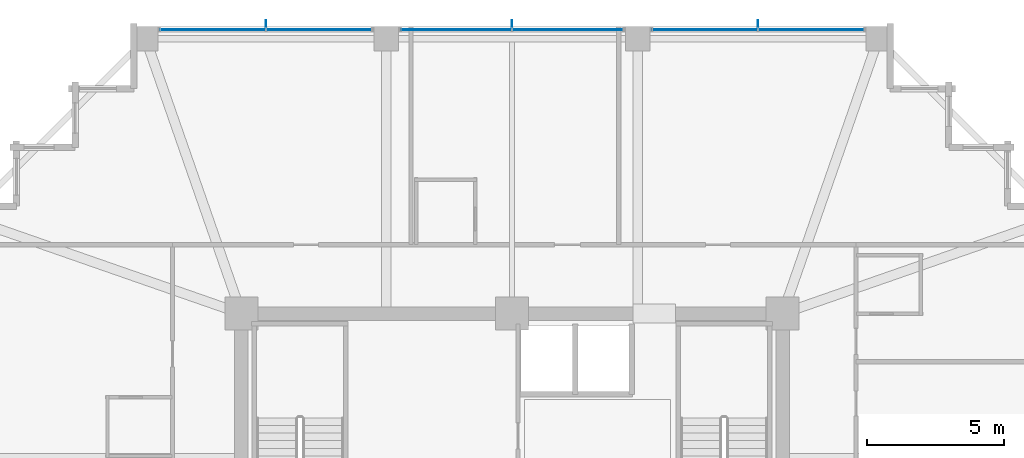
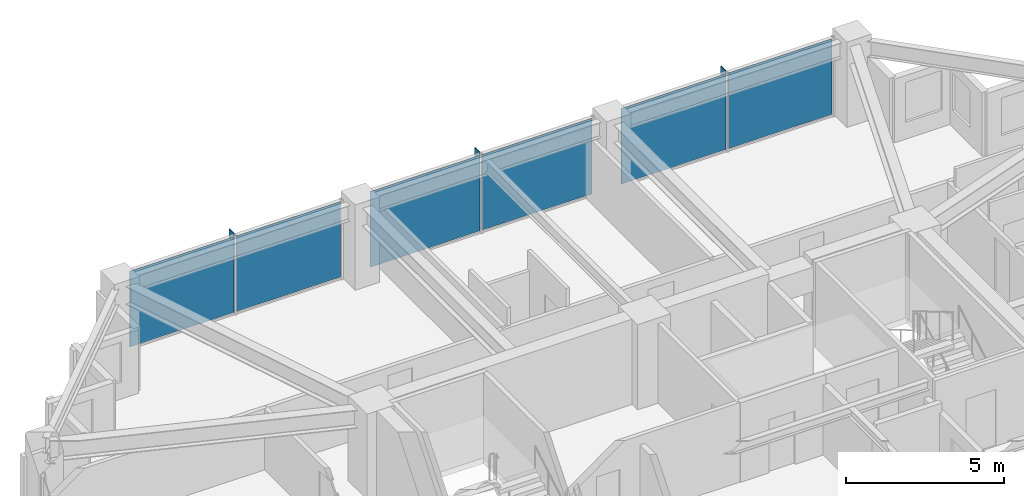
# One storey, part 27 of 34: 9 plates, 3 elements without a shape of their own.
"""IFC4 building model written with IfcOpenShell, lengths in metres."""

from ifc_helpers import new_model, si_unit, direction, frame, origin, origin_2d, place, context, subcontext, project, spatial, rectangle, extrude, material, layer, layer_set, type_object, element, aggregate, save


model = new_model("IFC4")

# Units and contexts
model_context = context("Model", 3, precision=1e-05, world=origin(), true_north=direction((0.0, 1.0)))
body_context = subcontext(model_context, "Body", "Model", "MODEL_VIEW")
ifc_project = project(units=[si_unit("LENGTHUNIT", "METRE"), si_unit("AREAUNIT", "SQUARE_METRE"), si_unit("VOLUMEUNIT", "CUBIC_METRE"), si_unit("PLANEANGLEUNIT", "RADIAN"), si_unit("MASSUNIT", "GRAM", prefix="KILO")], contexts=[model_context])

# Site, building, storey
site_placement = place(None, origin())
site = spatial("IfcSite", under=ifc_project, at=site_placement, CompositionType="ELEMENT")
building_placement = place(site_placement, origin())
building = spatial("IfcBuilding", under=site, at=building_placement, Name="Kolvaren Belvedere", CompositionType="ELEMENT")
storey_placement = place(building_placement, frame((0.0, 0.0, 189.89990234375)))
storey = spatial("IfcBuildingStorey", under=building, at=storey_placement, Name="L55", CompositionType="ELEMENT", Elevation=189.89990234375)

# Curtain wall, plates
ifc_material_1 = material(Name="Anodised pale-metal aluminium AA 6063-T6", Category="aluminium")
curtain_wall_type = type_object("IfcCurtainWallType", Name="CW-Z5-HIGH", PredefinedType="NOTDEFINED", material=ifc_material_1)
curtain_wall_1_placement = place(storey_placement, origin())
curtain_wall_1 = element("IfcCurtainWall", 1, at=curtain_wall_1_placement, inside=storey, type_object=curtain_wall_type, Name="L55 Unitised Curtain Wall FCW-L55-N-B1", PredefinedType="NOTDEFINED")
ifc_material_2 = material(Name="Low-iron triple insulated glass", Category="glass")
ifc_layer_1 = layer(ifc_material_2, 0.028076171875)
ifc_layer_set_1 = layer_set([ifc_layer_1], Name="Low-iron triple insulated glass")
plate_type_1 = type_object("IfcPlateType", Name="CW-PNL-VIS28", PredefinedType="CURTAIN_PANEL", material=ifc_layer_set_1)
plate_1_placement = place(storey_placement, frame((-10.947509765625, 20.280029296875, 0.080078125), z_axis=(0.0, 0.0, 1.0), x_axis=(1.0, 0.0, 0.0)))
plate_1 = element("IfcPlate", 2, at=plate_1_placement, type_object=plate_type_1, Name="FCW-L55-N-B1 Vision Glazing Panel 1", PredefinedType="CURTAIN_PANEL", context=body_context, shape_type="SweptSolid", body=[
    extrude(rectangle(XDim=3.81494140625, YDim=0.028076171875, at=origin_2d()), origin(), (0.0, 0.0, 1.0), 2.919921875),
])
plate_2_placement = place(storey_placement, frame((-7.052490234375, 20.280029296875, 0.080078125), z_axis=(0.0, 0.0, 1.0), x_axis=(1.0, 0.0, 0.0)))
plate_2 = element("IfcPlate", 3, at=plate_2_placement, type_object=plate_type_1, Name="FCW-L55-N-B1 Vision Glazing Panel 2", PredefinedType="CURTAIN_PANEL", context=body_context, shape_type="SweptSolid", body=[
    extrude(rectangle(XDim=3.81494140625, YDim=0.028076171875, at=origin_2d()), origin(), (0.0, 0.0, 1.0), 2.919921875),
])
aggregate(curtain_wall_1, [plate_1, plate_2])

curtain_wall_2_placement = place(storey_placement, origin())
curtain_wall_2 = element("IfcCurtainWall", 4, at=curtain_wall_2_placement, inside=storey, type_object=curtain_wall_type, Name="L55 Unitised Curtain Wall FCW-L55-N-B2", PredefinedType="NOTDEFINED")
plate_3_placement = place(storey_placement, frame((-2.047607421875, 20.280029296875, 0.080078125), z_axis=(0.0, 0.0, 1.0), x_axis=(1.0, 0.0, 0.0)))
plate_3 = element("IfcPlate", 5, at=plate_3_placement, type_object=plate_type_1, Name="FCW-L55-N-B2 Vision Glazing Panel 1", PredefinedType="CURTAIN_PANEL", context=body_context, shape_type="SweptSolid", body=[
    extrude(rectangle(XDim=4.014892578125, YDim=0.028076171875, at=origin_2d()), origin(), (0.0, 0.0, 1.0), 2.919921875),
])
plate_4_placement = place(storey_placement, frame((2.047607421875, 20.280029296875, 0.080078125), z_axis=(0.0, 0.0, 1.0), x_axis=(1.0, 0.0, 0.0)))
plate_4 = element("IfcPlate", 6, at=plate_4_placement, type_object=plate_type_1, Name="FCW-L55-N-B2 Vision Glazing Panel 2", PredefinedType="CURTAIN_PANEL", context=body_context, shape_type="SweptSolid", body=[
    extrude(rectangle(XDim=4.014892578125, YDim=0.028076171875, at=origin_2d()), origin(), (0.0, 0.0, 1.0), 2.919921875),
])
aggregate(curtain_wall_2, [plate_3, plate_4])

curtain_wall_3_placement = place(storey_placement, origin())
curtain_wall_3 = element("IfcCurtainWall", 7, at=curtain_wall_3_placement, inside=storey, type_object=curtain_wall_type, Name="L55 Unitised Curtain Wall FCW-L55-N-B3", PredefinedType="NOTDEFINED")
plate_5_placement = place(storey_placement, frame((7.052490234375, 20.280029296875, 0.080078125), z_axis=(0.0, 0.0, 1.0), x_axis=(1.0, 0.0, 0.0)))
plate_5 = element("IfcPlate", 8, at=plate_5_placement, type_object=plate_type_1, Name="FCW-L55-N-B3 Vision Glazing Panel 1", PredefinedType="CURTAIN_PANEL", context=body_context, shape_type="SweptSolid", body=[
    extrude(rectangle(XDim=3.81494140625, YDim=0.028076171875, at=origin_2d()), origin(), (0.0, 0.0, 1.0), 2.919921875),
])
plate_6_placement = place(storey_placement, frame((10.947509765625, 20.280029296875, 0.080078125), z_axis=(0.0, 0.0, 1.0), x_axis=(1.0, 0.0, 0.0)))
plate_6 = element("IfcPlate", 9, at=plate_6_placement, type_object=plate_type_1, Name="FCW-L55-N-B3 Vision Glazing Panel 2", PredefinedType="CURTAIN_PANEL", context=body_context, shape_type="SweptSolid", body=[
    extrude(rectangle(XDim=3.81494140625, YDim=0.028076171875, at=origin_2d()), origin(), (0.0, 0.0, 1.0), 2.919921875),
])
aggregate(curtain_wall_3, [plate_5, plate_6])

# Plates
ifc_material_3 = material(Name="Anodised pale-metal aluminium AA 6063-T6", Category="aluminium")
ifc_layer_2 = layer(ifc_material_3, 0.030029296875)
ifc_layer_set_2 = layer_set([ifc_layer_2], Name="Anodised pale-metal aluminium AA 6063-T6")
plate_type_2 = type_object("IfcPlateType", Name="FIN-VERT-300", PredefinedType="USERDEFINED", material=ifc_layer_set_2)
for number, where, z_axis, x_axis, name in (
    (10, (-9.0, 20.489990234375, 0.0), (0.0, 0.0, 1.0), (0.0, 1.0, 0.0), "L55 Pale-Metal Vertical Shading Fin FCW-L55-N-B1-1"),
    (11, (0.0, 20.489990234375, 0.0), (0.0, 0.0, 1.0), (0.0, 1.0, 0.0), "L55 Pale-Metal Vertical Shading Fin FCW-L55-N-B2-1"),
    (12, (9.0, 20.489990234375, 0.0), (0.0, 0.0, 1.0), (0.0, 1.0, 0.0), "L55 Pale-Metal Vertical Shading Fin FCW-L55-N-B3-1"),
):
    element("IfcPlate", number, at=place(storey_placement, frame(where, z_axis=z_axis, x_axis=x_axis)), inside=storey, type_object=plate_type_2, Name=name, ObjectType="VERTICAL FIN", PredefinedType="USERDEFINED", context=body_context, shape_type="SweptSolid", body=[
        extrude(rectangle(XDim=0.300048828125, YDim=0.030029296875, at=origin_2d()), origin(), (0.0, 0.0, 1.0), 3.080078125),
    ])

save(model, "model.ifc")
